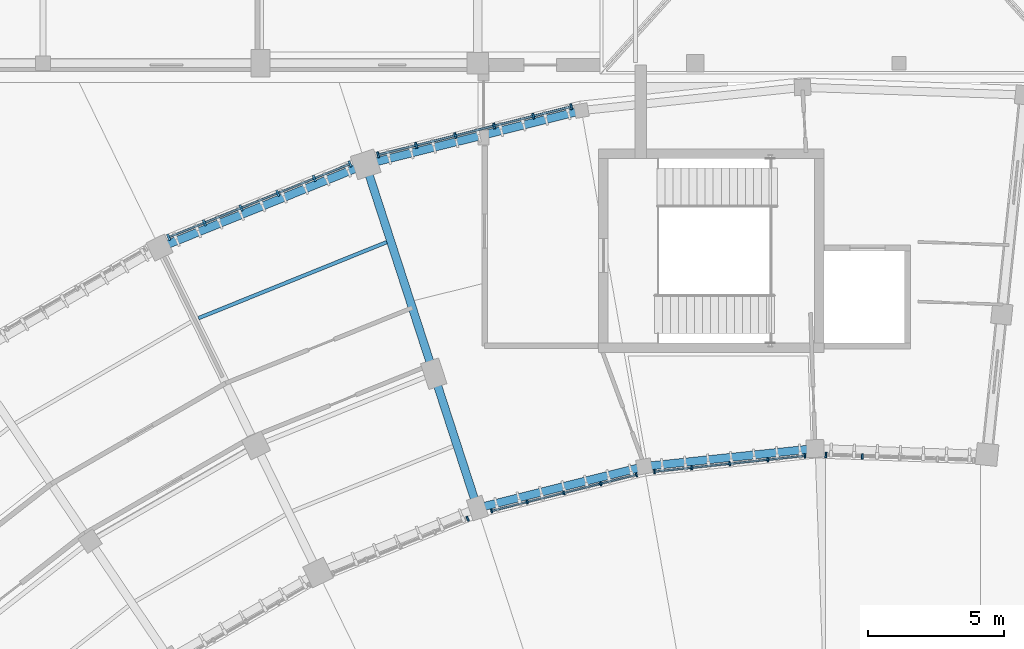
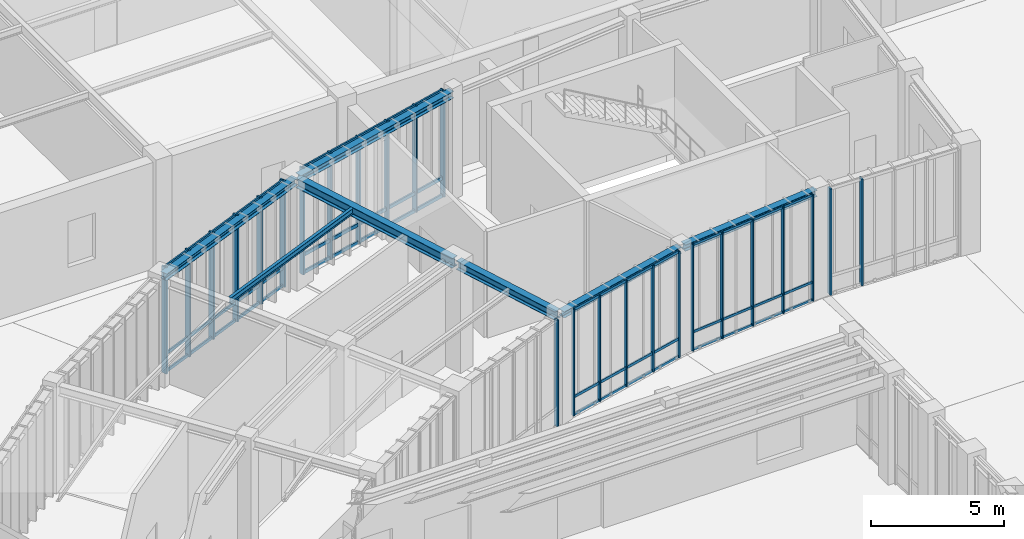
# One storey, part 17 of 68: 37 members, 7 beams, 6 elements without a shape of their own.
"""IFC4 building model written with IfcOpenShell, lengths in metres."""

from ifc_helpers import new_model, si_unit, direction, frame, origin, origin_2d, place, context, subcontext, project, spatial, rectangle, i_section, extrude, material, layer, layer_set, material_profile, profile_set, type_object, element, aggregate, save


model = new_model("IFC4")

# Units and contexts
model_context = context("Model", 3, precision=1e-05, world=origin(), true_north=direction((0.0, 1.0)))
body_context = subcontext(model_context, "Body", "Model", "MODEL_VIEW")
ifc_project = project(units=[si_unit("LENGTHUNIT", "METRE"), si_unit("AREAUNIT", "SQUARE_METRE"), si_unit("VOLUMEUNIT", "CUBIC_METRE"), si_unit("PLANEANGLEUNIT", "RADIAN"), si_unit("MASSUNIT", "GRAM", prefix="KILO"), si_unit("THERMODYNAMICTEMPERATUREUNIT", "KELVIN"), si_unit("POWERUNIT", "WATT")], contexts=[model_context])

# Site, building, storey
site_placement = place(None, origin())
site = spatial("IfcSite", under=ifc_project, at=site_placement, CompositionType="ELEMENT")
building_placement = place(site_placement, origin())
building = spatial("IfcBuilding", under=site, at=building_placement, Name="Solvatero Civic Police Headquarters", CompositionType="ELEMENT")
storey_placement = place(building_placement, origin())
storey = spatial("IfcBuildingStorey", under=building, at=storey_placement, Name="L00", CompositionType="ELEMENT", Elevation=0.0)

# Beams
ifc_material_1 = material(Name="Steel S355", Category="steel")
ifc_material_profile_1 = material_profile(ifc_material_1, i_section(OverallWidth=0.300048828125, OverallDepth=0.2900390625, WebThickness=0.008544921875, FlangeThickness=0.013916015625, FilletRadius=0.027099609375, at=origin_2d()), Name="HEA 300")
ifc_profile_set_1 = profile_set([ifc_material_profile_1], Name="Steel S355")
beam_type_1 = type_object("IfcBeamType", Name="BM-ST-HEA300", PredefinedType="SPANDREL", material=ifc_profile_set_1)
for number, where, z_axis, x_axis, name in (
    (1, (92.31787109375, 71.31201171875, 4.735107421875), (-0.994518545743, -0.104560327912, 0.0), (0.104560327912, -0.994518545743, 0.0), "Perimeter / radial spandrel beam BM-R2-L00-ARC-CIN-B02"),
    (2, (86.028076171875, 70.63671875, 4.735107421875), (-0.970299338414, -0.241907407643, 0.0), (0.241907407643, -0.970299338414, 0.0), "Perimeter / radial spandrel beam BM-R2-L00-ARC-CIN-B03"),
):
    element("IfcBeam", number, at=place(storey_placement, frame(where, z_axis=z_axis, x_axis=x_axis)), inside=storey, type_object=beam_type_1, Name=name, PredefinedType="SPANDREL", context=body_context, shape_type="SweptSolid", body=[
        extrude(i_section(OverallWidth=0.300048828125, OverallDepth=0.2900390625, WebThickness=0.008544921875, FlangeThickness=0.013916015625, FilletRadius=0.027099609375, at=origin_2d()), origin(), (0.0, 0.0, 1.0), 6.126953125),
    ])
ifc_material_profile_2 = material_profile(ifc_material_1, i_section(OverallWidth=0.300048828125, OverallDepth=0.31005859375, WebThickness=0.009033203125, FlangeThickness=0.015380859375, FilletRadius=0.027099609375, at=origin_2d()), Name="HEA 320")
ifc_profile_set_2 = profile_set([ifc_material_profile_2], Name="Steel S355")
beam_type_2 = type_object("IfcBeamType", Name="BM-ST-HEA320", PredefinedType="SPANDREL", material=ifc_profile_set_2)
beam_1_placement = place(storey_placement, frame((83.718505859375, 83.73486328125, 4.72509765625), z_axis=(-0.970295230115, -0.241923885586, 0.0), x_axis=(0.241923885586, -0.970295230115, 0.0)))
element("IfcBeam", 3, at=beam_1_placement, inside=storey, type_object=beam_type_2, Name="Perimeter / radial spandrel beam BM-R2-L00-ARC-COUT-B03", PredefinedType="SPANDREL", context=body_context, shape_type="SweptSolid", body=[
    extrude(i_section(OverallWidth=0.300048828125, OverallDepth=0.31005859375, WebThickness=0.009033203125, FlangeThickness=0.015380859375, FilletRadius=0.027099609375, at=origin_2d()), origin(), (0.0, 0.0, 1.0), 7.982421875),
])
beam_2_placement = place(storey_placement, frame((75.783447265625, 81.741943359375, 4.72509765625), z_axis=(-0.927188731, -0.374594523594, 0.0), x_axis=(0.374594523594, -0.927188731, 0.0)))
element("IfcBeam", 4, at=beam_2_placement, inside=storey, type_object=beam_type_2, Name="Perimeter / radial spandrel beam BM-R2-L00-ARC-COUT-B04", PredefinedType="SPANDREL", context=body_context, shape_type="SweptSolid", body=[
    extrude(i_section(OverallWidth=0.300048828125, OverallDepth=0.31005859375, WebThickness=0.009033203125, FlangeThickness=0.015380859375, FilletRadius=0.027099609375, at=origin_2d()), origin(), (0.0, 0.0, 1.0), 7.982666015625),
])
ifc_material_profile_3 = material_profile(ifc_material_1, i_section(OverallWidth=0.300048828125, OverallDepth=0.389892578125, WebThickness=0.010986328125, FlangeThickness=0.01904296875, FilletRadius=0.027099609375, at=origin_2d()), Name="HEA 400")
ifc_profile_set_3 = profile_set([ifc_material_profile_3], Name="Steel S355")
beam_type_3 = type_object("IfcBeamType", Name="BM-ST-HEA400", PredefinedType="BEAM", material=ifc_profile_set_3)
beam_3_placement = place(storey_placement, frame((79.955078125, 69.2255859375, 4.68505859375), z_axis=(-0.308996636599, 0.951063130697, 0.0), x_axis=(-0.951063130697, -0.308996636599, 0.0)))
element("IfcBeam", 5, at=beam_3_placement, inside=storey, type_object=beam_type_3, Name="Primary girder BM-R2-L00-ARC-RAD1-S03", PredefinedType="BEAM", context=body_context, shape_type="SweptSolid", body=[
    extrude(i_section(OverallWidth=0.300048828125, OverallDepth=0.389892578125, WebThickness=0.010986328125, FlangeThickness=0.01904296875, FilletRadius=0.027099609375, at=origin_2d()), origin(), (0.0, 0.0, 1.0), 4.999755859375),
])
ifc_material_profile_4 = material_profile(ifc_material_1, i_section(OverallWidth=0.300048828125, OverallDepth=0.43994140625, WebThickness=0.011474609375, FlangeThickness=0.02099609375, FilletRadius=0.027099609375, at=origin_2d()), Name="HEA 450")
ifc_profile_set_4 = profile_set([ifc_material_profile_4], Name="Steel S355")
beam_type_4 = type_object("IfcBeamType", Name="BM-ST-HEA450", PredefinedType="BEAM", material=ifc_profile_set_4)
beam_4_placement = place(storey_placement, frame((78.348388671875, 74.1708984375, 4.659912109375), z_axis=(-0.309033663672, 0.951051099951, 0.0), x_axis=(-0.951051099951, -0.309033663672, 0.0)))
element("IfcBeam", 6, at=beam_4_placement, inside=storey, type_object=beam_type_4, Name="Primary girder BM-R2-L00-ARC-RAD2-S03", PredefinedType="BEAM", context=body_context, shape_type="SweptSolid", body=[
    extrude(i_section(OverallWidth=0.300048828125, OverallDepth=0.43994140625, WebThickness=0.011474609375, FlangeThickness=0.02099609375, FilletRadius=0.027099609375, at=origin_2d()), origin(), (0.0, 0.0, 1.0), 7.900146484375),
])
ifc_material_profile_5 = material_profile(ifc_material_1, i_section(OverallWidth=0.135009765625, OverallDepth=0.27001953125, WebThickness=0.006591796875, FlangeThickness=0.01025390625, FilletRadius=0.014892578125, at=origin_2d()), Name="IPE 270")
ifc_profile_set_5 = profile_set([ifc_material_profile_5], Name="Steel S355")
beam_type_5 = type_object("IfcBeamType", Name="BM-ST-IPE270", PredefinedType="BEAM", material=ifc_profile_set_5)
beam_5_placement = place(storey_placement, frame((76.648681640625, 78.91748046875, 4.7451171875), z_axis=(-0.92718880438, -0.374594341966, 0.0), x_axis=(0.374594341966, -0.92718880438, 0.0)))
element("IfcBeam", 7, at=beam_5_placement, inside=storey, type_object=beam_type_5, Name="Composite floor beam BM-R2-L00-ARC-CS2-B04", PredefinedType="BEAM", context=body_context, shape_type="SweptSolid", body=[
    extrude(i_section(OverallWidth=0.135009765625, OverallDepth=0.27001953125, WebThickness=0.006591796875, FlangeThickness=0.01025390625, FilletRadius=0.014892578125, at=origin_2d()), origin(), (0.0, 0.0, 1.0), 7.470947265625),
])

# Curtain wall, members
ifc_material_2 = material(Name="Anodized Bronze Aluminium", Category="aluminium")
ifc_layer_1 = layer(ifc_material_2, 0.179931640625)
ifc_layer_set_1 = layer_set([ifc_layer_1], Name="Anodized Bronze Aluminium")
curtain_wall_type_1 = type_object("IfcCurtainWallType", Name="CW-ARC-OUT", PredefinedType="USERDEFINED", material=ifc_layer_set_1)
curtain_wall_1_placement = place(storey_placement, origin())
curtain_wall_1 = element("IfcCurtainWall", 8, at=curtain_wall_1_placement, inside=storey, type_object=curtain_wall_type_1, Name="Curtain Wall CW-R2-L00-ARC-OUT-B04", ObjectType="UNITISED", PredefinedType="USERDEFINED")
ifc_material_profile_6 = material_profile(ifc_material_2, rectangle(XDim=0.080078125, YDim=0.239990234375, at=origin_2d()), Name="ALU MULLION 80x240")
ifc_profile_set_6 = profile_set([ifc_material_profile_6], Name="Anodized Bronze Aluminium")
member_type_1 = type_object("IfcMemberType", Name="CWM-140x60", PredefinedType="MULLION", material=ifc_profile_set_6)
member_1_placement = place(storey_placement, frame((75.298828125, 81.793701171875, 0.0), z_axis=(0.0, 0.0, 1.0), x_axis=(-0.927183854567, -0.374606593416, 0.0)))
member_1 = element("IfcMember", 9, at=member_1_placement, type_object=member_type_1, Name="CW-R2-L00-ARC-OUT-B04 Mullion 1", PredefinedType="MULLION", context=body_context, shape_type="SweptSolid", body=[
    extrude(rectangle(XDim=0.080078125, YDim=0.239990234375, at=origin_2d()), origin(), (0.0, 0.0, 1.0), 4.8798828125),
])
member_2_placement = place(storey_placement, frame((73.986328125, 81.263427734375, 0.0), z_axis=(0.0, 0.0, 1.0), x_axis=(-0.927183854567, -0.374606593416, 0.0)))
member_2 = element("IfcMember", 10, at=member_2_placement, type_object=member_type_1, Name="CW-R2-L00-ARC-OUT-B04 Mullion 2", PredefinedType="MULLION", context=body_context, shape_type="SweptSolid", body=[
    extrude(rectangle(XDim=0.080078125, YDim=0.239990234375, at=origin_2d()), origin(), (0.0, 0.0, 1.0), 4.8798828125),
])
member_3_placement = place(storey_placement, frame((72.636962890625, 80.71826171875, 0.0), z_axis=(0.0, 0.0, 1.0), x_axis=(-0.927183854567, -0.374606593416, 0.0)))
member_3 = element("IfcMember", 11, at=member_3_placement, type_object=member_type_1, Name="CW-R2-L00-ARC-OUT-B04 Mullion 3", PredefinedType="MULLION", context=body_context, shape_type="SweptSolid", body=[
    extrude(rectangle(XDim=0.080078125, YDim=0.239990234375, at=origin_2d()), origin(), (0.0, 0.0, 1.0), 4.8798828125),
])
member_4_placement = place(storey_placement, frame((71.287353515625, 80.173095703125, 0.0), z_axis=(0.0, 0.0, 1.0), x_axis=(-0.927183854567, -0.374606593416, 0.0)))
member_4 = element("IfcMember", 12, at=member_4_placement, type_object=member_type_1, Name="CW-R2-L00-ARC-OUT-B04 Mullion 4", PredefinedType="MULLION", context=body_context, shape_type="SweptSolid", body=[
    extrude(rectangle(XDim=0.080078125, YDim=0.239990234375, at=origin_2d()), origin(), (0.0, 0.0, 1.0), 4.8798828125),
])
member_5_placement = place(storey_placement, frame((69.937744140625, 79.627685546875, 0.0), z_axis=(0.0, 0.0, 1.0), x_axis=(-0.927183854567, -0.374606593416, 0.0)))
member_5 = element("IfcMember", 13, at=member_5_placement, type_object=member_type_1, Name="CW-R2-L00-ARC-OUT-B04 Mullion 5", PredefinedType="MULLION", context=body_context, shape_type="SweptSolid", body=[
    extrude(rectangle(XDim=0.080078125, YDim=0.239990234375, at=origin_2d()), origin(), (0.0, 0.0, 1.0), 4.8798828125),
])
member_6_placement = place(storey_placement, frame((68.62548828125, 79.097412109375, 0.0), z_axis=(0.0, 0.0, 1.0), x_axis=(-0.927183854567, -0.374606593416, 0.0)))
member_6 = element("IfcMember", 14, at=member_6_placement, type_object=member_type_1, Name="CW-R2-L00-ARC-OUT-B04 Mullion 6", PredefinedType="MULLION", context=body_context, shape_type="SweptSolid", body=[
    extrude(rectangle(XDim=0.080078125, YDim=0.239990234375, at=origin_2d()), origin(), (0.0, 0.0, 1.0), 4.8798828125),
])

ifc_layer_2 = layer(ifc_material_2, 0.179931640625)
ifc_layer_set_2 = layer_set([ifc_layer_2], Name="Anodized Bronze Aluminium")
curtain_wall_type_2 = type_object("IfcCurtainWallType", Name="CW-ARC-IN", PredefinedType="USERDEFINED", material=ifc_layer_set_2)
curtain_wall_2_placement = place(storey_placement, origin())
curtain_wall_2 = element("IfcCurtainWall", 15, at=curtain_wall_2_placement, inside=storey, type_object=curtain_wall_type_2, Name="Curtain Wall CW-R2-L00-ARC-IN-B03", ObjectType="UNITISED", PredefinedType="USERDEFINED")
ifc_material_profile_7 = material_profile(ifc_material_2, rectangle(XDim=0.06005859375, YDim=0.139892578125, at=origin_2d()), Name="ALU MULLION 60x140")
ifc_profile_set_7 = profile_set([ifc_material_profile_7], Name="Anodized Bronze Aluminium")
member_type_2 = type_object("IfcMemberType", Name="CWM-160x65", PredefinedType="MULLION", material=ifc_profile_set_7)
member_7_placement = place(storey_placement, frame((85.836181640625, 70.3525390625, 0.0), z_axis=(0.0, 0.0, 1.0), x_axis=(-0.970295726276, -0.2419218956, 0.0)))
member_7 = element("IfcMember", 16, at=member_7_placement, type_object=member_type_2, Name="CW-R2-L00-ARC-IN-B03 Mullion 1", PredefinedType="MULLION", context=body_context, shape_type="SweptSolid", body=[
    extrude(rectangle(XDim=0.06005859375, YDim=0.139892578125, at=origin_2d()), origin(), (0.0, 0.0, 1.0), 4.8798828125),
])
member_8_placement = place(storey_placement, frame((84.5234375, 70.025146484375, 0.0), z_axis=(0.0, 0.0, 1.0), x_axis=(-0.970295726276, -0.2419218956, 0.0)))
member_8 = element("IfcMember", 17, at=member_8_placement, type_object=member_type_2, Name="CW-R2-L00-ARC-IN-B03 Mullion 2", PredefinedType="MULLION", context=body_context, shape_type="SweptSolid", body=[
    extrude(rectangle(XDim=0.06005859375, YDim=0.139892578125, at=origin_2d()), origin(), (0.0, 0.0, 1.0), 4.8798828125),
])
member_9_placement = place(storey_placement, frame((83.171630859375, 69.688232421875, 0.0), z_axis=(0.0, 0.0, 1.0), x_axis=(-0.970295726276, -0.2419218956, 0.0)))
member_9 = element("IfcMember", 18, at=member_9_placement, type_object=member_type_2, Name="CW-R2-L00-ARC-IN-B03 Mullion 3", PredefinedType="MULLION", context=body_context, shape_type="SweptSolid", body=[
    extrude(rectangle(XDim=0.06005859375, YDim=0.139892578125, at=origin_2d()), origin(), (0.0, 0.0, 1.0), 4.8798828125),
])
member_10_placement = place(storey_placement, frame((81.820068359375, 69.351318359375, 0.0), z_axis=(0.0, 0.0, 1.0), x_axis=(-0.970295726276, -0.2419218956, 0.0)))
member_10 = element("IfcMember", 19, at=member_10_placement, type_object=member_type_2, Name="CW-R2-L00-ARC-IN-B03 Mullion 4", PredefinedType="MULLION", context=body_context, shape_type="SweptSolid", body=[
    extrude(rectangle(XDim=0.06005859375, YDim=0.139892578125, at=origin_2d()), origin(), (0.0, 0.0, 1.0), 4.8798828125),
])
member_11_placement = place(storey_placement, frame((80.50732421875, 69.02392578125, 0.0), z_axis=(0.0, 0.0, 1.0), x_axis=(-0.970295726276, -0.2419218956, 0.0)))
member_11 = element("IfcMember", 20, at=member_11_placement, type_object=member_type_2, Name="CW-R2-L00-ARC-IN-B03 Mullion 5", PredefinedType="MULLION", context=body_context, shape_type="SweptSolid", body=[
    extrude(rectangle(XDim=0.06005859375, YDim=0.139892578125, at=origin_2d()), origin(), (0.0, 0.0, 1.0), 4.8798828125),
])

curtain_wall_3_placement = place(storey_placement, origin())
curtain_wall_3 = element("IfcCurtainWall", 21, at=curtain_wall_3_placement, inside=storey, type_object=curtain_wall_type_2, Name="Curtain Wall CW-R2-L00-ARC-IN-B02", ObjectType="UNITISED", PredefinedType="USERDEFINED")
ifc_material_profile_8 = material_profile(ifc_material_2, rectangle(XDim=0.06005859375, YDim=0.159912109375, at=origin_2d()), Name="ALU MULLION 60x160")
ifc_profile_set_8 = profile_set([ifc_material_profile_8], Name="Anodized Bronze Aluminium")
member_type_3 = type_object("IfcMemberType", Name="CWM-180x70", PredefinedType="MULLION", material=ifc_profile_set_8)
member_12_placement = place(storey_placement, frame((92.03857421875, 71.0517578125, 0.0), z_axis=(0.0, 0.0, 1.0), x_axis=(-0.994523719583, -0.10451110557, 0.0)))
member_12 = element("IfcMember", 22, at=member_12_placement, type_object=member_type_3, Name="CW-R2-L00-ARC-IN-B02 Mullion 1", PredefinedType="MULLION", context=body_context, shape_type="SweptSolid", body=[
    extrude(rectangle(XDim=0.06005859375, YDim=0.159912109375, at=origin_2d()), origin(), (0.0, 0.0, 1.0), 4.8798828125),
])
member_13_placement = place(storey_placement, frame((90.67431640625, 70.908447265625, 0.0), z_axis=(0.0, 0.0, 1.0), x_axis=(-0.994523719583, -0.10451110557, 0.0)))
member_13 = element("IfcMember", 23, at=member_13_placement, type_object=member_type_3, Name="CW-R2-L00-ARC-IN-B02 Mullion 2", PredefinedType="MULLION", context=body_context, shape_type="SweptSolid", body=[
    extrude(rectangle(XDim=0.06005859375, YDim=0.159912109375, at=origin_2d()), origin(), (0.0, 0.0, 1.0), 4.8798828125),
])
member_14_placement = place(storey_placement, frame((89.2705078125, 70.760986328125, 0.0), z_axis=(0.0, 0.0, 1.0), x_axis=(-0.994523719583, -0.10451110557, 0.0)))
member_14 = element("IfcMember", 24, at=member_14_placement, type_object=member_type_3, Name="CW-R2-L00-ARC-IN-B02 Mullion 3", PredefinedType="MULLION", context=body_context, shape_type="SweptSolid", body=[
    extrude(rectangle(XDim=0.06005859375, YDim=0.159912109375, at=origin_2d()), origin(), (0.0, 0.0, 1.0), 4.8798828125),
])
member_15_placement = place(storey_placement, frame((87.866455078125, 70.61328125, 0.0), z_axis=(0.0, 0.0, 1.0), x_axis=(-0.994523719583, -0.10451110557, 0.0)))
member_15 = element("IfcMember", 25, at=member_15_placement, type_object=member_type_3, Name="CW-R2-L00-ARC-IN-B02 Mullion 4", PredefinedType="MULLION", context=body_context, shape_type="SweptSolid", body=[
    extrude(rectangle(XDim=0.06005859375, YDim=0.159912109375, at=origin_2d()), origin(), (0.0, 0.0, 1.0), 4.8798828125),
])
member_16_placement = place(storey_placement, frame((86.502197265625, 70.469970703125, 0.0), z_axis=(0.0, 0.0, 1.0), x_axis=(-0.994523719583, -0.10451110557, 0.0)))
member_16 = element("IfcMember", 26, at=member_16_placement, type_object=member_type_3, Name="CW-R2-L00-ARC-IN-B02 Mullion 5", PredefinedType="MULLION", context=body_context, shape_type="SweptSolid", body=[
    extrude(rectangle(XDim=0.06005859375, YDim=0.159912109375, at=origin_2d()), origin(), (0.0, 0.0, 1.0), 4.8798828125),
])

# Curtain wall, member
curtain_wall_4_placement = place(storey_placement, origin())
curtain_wall_4 = element("IfcCurtainWall", 27, at=curtain_wall_4_placement, inside=storey, type_object=curtain_wall_type_2, Name="Curtain Wall CW-R2-L00-ARC-IN-B04", ObjectType="UNITISED", PredefinedType="USERDEFINED")
ifc_material_profile_9 = material_profile(ifc_material_2, rectangle(XDim=0.06494140625, YDim=0.179931640625, at=origin_2d()), Name="ALU MULLION 65x180")
ifc_profile_set_9 = profile_set([ifc_material_profile_9], Name="Anodized Bronze Aluminium")
member_type_4 = type_object("IfcMemberType", Name="CWM-200x75", PredefinedType="MULLION", material=ifc_profile_set_9)
member_17_placement = place(storey_placement, frame((79.626953125, 68.73779296875, 0.0), z_axis=(0.0, 0.0, 1.0), x_axis=(-0.927183854567, -0.374606593416, 0.0)))
member_17 = element("IfcMember", 28, at=member_17_placement, type_object=member_type_4, Name="CW-R2-L00-ARC-IN-B04 Mullion 1", PredefinedType="MULLION", context=body_context, shape_type="SweptSolid", body=[
    extrude(rectangle(XDim=0.06494140625, YDim=0.179931640625, at=origin_2d()), origin(), (0.0, 0.0, 1.0), 4.8798828125),
])
aggregate(curtain_wall_4, [member_17])

# Curtain wall, members
curtain_wall_5_placement = place(storey_placement, origin())
curtain_wall_5 = element("IfcCurtainWall", 29, at=curtain_wall_5_placement, inside=storey, type_object=curtain_wall_type_2, Name="Curtain Wall CW-R2-L00-ARC-IN-B01", ObjectType="UNITISED", PredefinedType="USERDEFINED")
ifc_material_profile_10 = material_profile(ifc_material_2, rectangle(XDim=0.070068359375, YDim=0.199951171875, at=origin_2d()), Name="ALU MULLION 70x200")
ifc_profile_set_10 = profile_set([ifc_material_profile_10], Name="Anodized Bronze Aluminium")
member_type_5 = type_object("IfcMemberType", Name="CWM-220x80", PredefinedType="MULLION", material=ifc_profile_set_10)
member_18_placement = place(storey_placement, frame((94.15380859375, 71.031982421875, 0.0), z_axis=(0.0, 0.0, 1.0), x_axis=(-0.999390827019, 0.034899496703, 0.0)))
member_18 = element("IfcMember", 30, at=member_18_placement, type_object=member_type_5, Name="CW-R2-L00-ARC-IN-B01 Mullion 4", PredefinedType="MULLION", context=body_context, shape_type="SweptSolid", body=[
    extrude(rectangle(XDim=0.070068359375, YDim=0.199951171875, at=origin_2d()), origin(), (0.0, 0.0, 1.0), 4.8798828125),
])
member_19_placement = place(storey_placement, frame((92.814208984375, 71.078857421875, 0.0), z_axis=(0.0, 0.0, 1.0), x_axis=(-0.999390827019, 0.034899496703, 0.0)))
member_19 = element("IfcMember", 31, at=member_19_placement, type_object=member_type_5, Name="CW-R2-L00-ARC-IN-B01 Mullion 5", PredefinedType="MULLION", context=body_context, shape_type="SweptSolid", body=[
    extrude(rectangle(XDim=0.070068359375, YDim=0.199951171875, at=origin_2d()), origin(), (0.0, 0.0, 1.0), 4.8798828125),
])
aggregate(curtain_wall_5, [member_18, member_19])

curtain_wall_6_placement = place(storey_placement, origin())
curtain_wall_6 = element("IfcCurtainWall", 32, at=curtain_wall_6_placement, inside=storey, type_object=curtain_wall_type_1, Name="Curtain Wall CW-R2-L00-ARC-OUT-B03", ObjectType="UNITISED", PredefinedType="USERDEFINED")
ifc_material_profile_11 = material_profile(ifc_material_2, rectangle(XDim=0.074951171875, YDim=0.219970703125, at=origin_2d()), Name="ALU MULLION 75x220")
ifc_profile_set_11 = profile_set([ifc_material_profile_11], Name="Anodized Bronze Aluminium")
member_type_6 = type_object("IfcMemberType", Name="CWM-250x85", PredefinedType="MULLION", material=ifc_profile_set_11)
member_20_placement = place(storey_placement, frame((83.439697265625, 83.901611328125, 0.0), z_axis=(0.0, 0.0, 1.0), x_axis=(-0.970295726276, -0.2419218956, 0.0)))
member_20 = element("IfcMember", 33, at=member_20_placement, type_object=member_type_6, Name="CW-R2-L00-ARC-OUT-B03 Mullion 1", PredefinedType="MULLION", context=body_context, shape_type="SweptSolid", body=[
    extrude(rectangle(XDim=0.074951171875, YDim=0.219970703125, at=origin_2d()), origin(), (0.0, 0.0, 1.0), 4.8798828125),
])
member_21_placement = place(storey_placement, frame((82.0419921875, 83.55322265625, 0.0), z_axis=(0.0, 0.0, 1.0), x_axis=(-0.970295726276, -0.2419218956, 0.0)))
member_21 = element("IfcMember", 34, at=member_21_placement, type_object=member_type_6, Name="CW-R2-L00-ARC-OUT-B03 Mullion 2", PredefinedType="MULLION", context=body_context, shape_type="SweptSolid", body=[
    extrude(rectangle(XDim=0.074951171875, YDim=0.219970703125, at=origin_2d()), origin(), (0.0, 0.0, 1.0), 4.8798828125),
])
member_22_placement = place(storey_placement, frame((80.605712890625, 83.195068359375, 0.0), z_axis=(0.0, 0.0, 1.0), x_axis=(-0.970295726276, -0.2419218956, 0.0)))
member_22 = element("IfcMember", 35, at=member_22_placement, type_object=member_type_6, Name="CW-R2-L00-ARC-OUT-B03 Mullion 3", PredefinedType="MULLION", context=body_context, shape_type="SweptSolid", body=[
    extrude(rectangle(XDim=0.074951171875, YDim=0.219970703125, at=origin_2d()), origin(), (0.0, 0.0, 1.0), 4.8798828125),
])
member_23_placement = place(storey_placement, frame((79.169189453125, 82.8369140625, 0.0), z_axis=(0.0, 0.0, 1.0), x_axis=(-0.970295726276, -0.2419218956, 0.0)))
member_23 = element("IfcMember", 36, at=member_23_placement, type_object=member_type_6, Name="CW-R2-L00-ARC-OUT-B03 Mullion 4", PredefinedType="MULLION", context=body_context, shape_type="SweptSolid", body=[
    extrude(rectangle(XDim=0.074951171875, YDim=0.219970703125, at=origin_2d()), origin(), (0.0, 0.0, 1.0), 4.8798828125),
])
member_24_placement = place(storey_placement, frame((77.732666015625, 82.478759765625, 0.0), z_axis=(0.0, 0.0, 1.0), x_axis=(-0.970295726276, -0.2419218956, 0.0)))
member_24 = element("IfcMember", 37, at=member_24_placement, type_object=member_type_6, Name="CW-R2-L00-ARC-OUT-B03 Mullion 5", PredefinedType="MULLION", context=body_context, shape_type="SweptSolid", body=[
    extrude(rectangle(XDim=0.074951171875, YDim=0.219970703125, at=origin_2d()), origin(), (0.0, 0.0, 1.0), 4.8798828125),
])
member_25_placement = place(storey_placement, frame((76.3349609375, 82.13037109375, 0.0), z_axis=(0.0, 0.0, 1.0), x_axis=(-0.970295726276, -0.2419218956, 0.0)))
member_25 = element("IfcMember", 38, at=member_25_placement, type_object=member_type_6, Name="CW-R2-L00-ARC-OUT-B03 Mullion 6", PredefinedType="MULLION", context=body_context, shape_type="SweptSolid", body=[
    extrude(rectangle(XDim=0.074951171875, YDim=0.219970703125, at=origin_2d()), origin(), (0.0, 0.0, 1.0), 4.8798828125),
])
ifc_material_profile_12 = material_profile(ifc_material_2, rectangle(XDim=0.070068359375, YDim=0.159912109375, at=origin_2d()), Name="ALU TRANSOM 70x160")
ifc_profile_set_12 = profile_set([ifc_material_profile_12], Name="Anodized Bronze Aluminium")
member_type_7 = type_object("IfcMemberType", Name="CWT-120x55", PredefinedType="USERDEFINED", material=ifc_profile_set_12)
member_26_placement = place(storey_placement, frame((83.43017578125, 83.8994140625, 0.0400390625), z_axis=(-0.970295705075, -0.241921980633, 0.0), x_axis=(0.241921980633, -0.970295705075, 0.0)))
member_26 = element("IfcMember", 39, at=member_26_placement, type_object=member_type_7, Name="CW-R2-L00-ARC-OUT-B03 Transom 1", ObjectType="TRANSOM", PredefinedType="USERDEFINED", context=body_context, shape_type="SweptSolid", body=[
    extrude(rectangle(XDim=0.070068359375, YDim=0.159912109375, at=origin_2d()), origin(), (0.0, 0.0, 1.0), 7.30224609375),
])
member_27_placement = place(storey_placement, frame((83.43017578125, 83.8994140625, 0.85009765625), z_axis=(-0.970295705075, -0.241921980633, 0.0), x_axis=(0.241921980633, -0.970295705075, 0.0)))
member_27 = element("IfcMember", 40, at=member_27_placement, type_object=member_type_7, Name="CW-R2-L00-ARC-OUT-B03 Transom 2", ObjectType="TRANSOM", PredefinedType="USERDEFINED", context=body_context, shape_type="SweptSolid", body=[
    extrude(rectangle(XDim=0.070068359375, YDim=0.159912109375, at=origin_2d()), origin(), (0.0, 0.0, 1.0), 7.30224609375),
])
member_28_placement = place(storey_placement, frame((83.43017578125, 83.8994140625, 4.840087890625), z_axis=(-0.970295705075, -0.241921980633, 0.0), x_axis=(0.241921980633, -0.970295705075, 0.0)))
member_28 = element("IfcMember", 41, at=member_28_placement, type_object=member_type_7, Name="CW-R2-L00-ARC-OUT-B03 Transom 3", ObjectType="TRANSOM", PredefinedType="USERDEFINED", context=body_context, shape_type="SweptSolid", body=[
    extrude(rectangle(XDim=0.070068359375, YDim=0.159912109375, at=origin_2d()), origin(), (0.0, 0.0, 1.0), 7.30224609375),
])
aggregate(curtain_wall_6, [member_20, member_21, member_22, member_23, member_24, member_25, member_26, member_27, member_28])

# Member
ifc_material_profile_13 = material_profile(ifc_material_2, rectangle(XDim=0.06005859375, YDim=0.110107421875, at=origin_2d()), Name="ALU TRANSOM 60x110")
ifc_profile_set_13 = profile_set([ifc_material_profile_13], Name="Anodized Bronze Aluminium")
member_type_8 = type_object("IfcMemberType", Name="CWT-140x60", PredefinedType="USERDEFINED", material=ifc_profile_set_13)
member_29_placement = place(storey_placement, frame((92.028564453125, 71.05078125, 0.0400390625), z_axis=(-0.99452111838, -0.10453585555, 0.0), x_axis=(0.10453585555, -0.99452111838, 0.0)))
member_29 = element("IfcMember", 42, at=member_29_placement, type_object=member_type_8, Name="CW-R2-L00-ARC-IN-B02 Transom 1", ObjectType="TRANSOM", PredefinedType="USERDEFINED", context=body_context, shape_type="SweptSolid", body=[
    extrude(rectangle(XDim=0.06005859375, YDim=0.110107421875, at=origin_2d()), origin(), (0.0, 0.0, 1.0), 5.546630859375),
])

member_30_placement = place(storey_placement, frame((92.028564453125, 71.05078125, 0.85009765625), z_axis=(-0.99452111838, -0.10453585555, 0.0), x_axis=(0.10453585555, -0.99452111838, 0.0)))
member_30 = element("IfcMember", 43, at=member_30_placement, type_object=member_type_8, Name="CW-R2-L00-ARC-IN-B02 Transom 2", ObjectType="TRANSOM", PredefinedType="USERDEFINED", context=body_context, shape_type="SweptSolid", body=[
    extrude(rectangle(XDim=0.06005859375, YDim=0.110107421875, at=origin_2d()), origin(), (0.0, 0.0, 1.0), 5.546630859375),
])

member_31_placement = place(storey_placement, frame((92.028564453125, 71.05078125, 4.840087890625), z_axis=(-0.99452111838, -0.10453585555, 0.0), x_axis=(0.10453585555, -0.99452111838, 0.0)))
member_31 = element("IfcMember", 44, at=member_31_placement, type_object=member_type_8, Name="CW-R2-L00-ARC-IN-B02 Transom 3", ObjectType="TRANSOM", PredefinedType="USERDEFINED", context=body_context, shape_type="SweptSolid", body=[
    extrude(rectangle(XDim=0.06005859375, YDim=0.110107421875, at=origin_2d()), origin(), (0.0, 0.0, 1.0), 5.546630859375),
])

aggregate(curtain_wall_3, [member_12, member_13, member_14, member_15, member_16, member_29, member_30, member_31])

ifc_material_profile_14 = material_profile(ifc_material_2, rectangle(XDim=0.06005859375, YDim=0.125, at=origin_2d()), Name="ALU TRANSOM 60x125")
ifc_profile_set_14 = profile_set([ifc_material_profile_14], Name="Anodized Bronze Aluminium")
member_type_9 = type_object("IfcMemberType", Name="CWT-160x65", PredefinedType="USERDEFINED", material=ifc_profile_set_14)
member_32_placement = place(storey_placement, frame((85.826416015625, 70.35009765625, 0.0400390625), z_axis=(-0.970297151447, -0.24191617948, 0.0), x_axis=(0.24191617948, -0.970297151447, 0.0)))
member_32 = element("IfcMember", 45, at=member_32_placement, type_object=member_type_9, Name="CW-R2-L00-ARC-IN-B03 Transom 1", ObjectType="TRANSOM", PredefinedType="USERDEFINED", context=body_context, shape_type="SweptSolid", body=[
    extrude(rectangle(XDim=0.06005859375, YDim=0.125, at=origin_2d()), origin(), (0.0, 0.0, 1.0), 5.471923828125),
])

member_33_placement = place(storey_placement, frame((85.826416015625, 70.35009765625, 0.85009765625), z_axis=(-0.970297151447, -0.24191617948, 0.0), x_axis=(0.24191617948, -0.970297151447, 0.0)))
member_33 = element("IfcMember", 46, at=member_33_placement, type_object=member_type_9, Name="CW-R2-L00-ARC-IN-B03 Transom 2", ObjectType="TRANSOM", PredefinedType="USERDEFINED", context=body_context, shape_type="SweptSolid", body=[
    extrude(rectangle(XDim=0.06005859375, YDim=0.125, at=origin_2d()), origin(), (0.0, 0.0, 1.0), 5.471923828125),
])

member_34_placement = place(storey_placement, frame((85.826416015625, 70.35009765625, 4.840087890625), z_axis=(-0.970297151447, -0.24191617948, 0.0), x_axis=(0.24191617948, -0.970297151447, 0.0)))
member_34 = element("IfcMember", 47, at=member_34_placement, type_object=member_type_9, Name="CW-R2-L00-ARC-IN-B03 Transom 3", ObjectType="TRANSOM", PredefinedType="USERDEFINED", context=body_context, shape_type="SweptSolid", body=[
    extrude(rectangle(XDim=0.06005859375, YDim=0.125, at=origin_2d()), origin(), (0.0, 0.0, 1.0), 5.471923828125),
])

aggregate(curtain_wall_2, [member_7, member_8, member_9, member_10, member_11, member_32, member_33, member_34])

ifc_material_profile_15 = material_profile(ifc_material_2, rectangle(XDim=0.06494140625, YDim=0.139892578125, at=origin_2d()), Name="ALU TRANSOM 65x140")
ifc_profile_set_15 = profile_set([ifc_material_profile_15], Name="Anodized Bronze Aluminium")
member_type_10 = type_object("IfcMemberType", Name="CWT-180x70", PredefinedType="USERDEFINED", material=ifc_profile_set_15)
member_35_placement = place(storey_placement, frame((75.28955078125, 81.7900390625, 0.0400390625), z_axis=(-0.927183226792, -0.37460814721, 0.0), x_axis=(0.37460814721, -0.927183226792, 0.0)))
member_35 = element("IfcMember", 48, at=member_35_placement, type_object=member_type_10, Name="CW-R2-L00-ARC-OUT-B04 Transom 1", ObjectType="TRANSOM", PredefinedType="USERDEFINED", context=body_context, shape_type="SweptSolid", body=[
    extrude(rectangle(XDim=0.06494140625, YDim=0.139892578125, at=origin_2d()), origin(), (0.0, 0.0, 1.0), 7.177490234375),
])

member_36_placement = place(storey_placement, frame((75.28955078125, 81.7900390625, 0.85009765625), z_axis=(-0.927183226792, -0.37460814721, 0.0), x_axis=(0.37460814721, -0.927183226792, 0.0)))
member_36 = element("IfcMember", 49, at=member_36_placement, type_object=member_type_10, Name="CW-R2-L00-ARC-OUT-B04 Transom 2", ObjectType="TRANSOM", PredefinedType="USERDEFINED", context=body_context, shape_type="SweptSolid", body=[
    extrude(rectangle(XDim=0.06494140625, YDim=0.139892578125, at=origin_2d()), origin(), (0.0, 0.0, 1.0), 7.177490234375),
])

member_37_placement = place(storey_placement, frame((75.28955078125, 81.7900390625, 4.840087890625), z_axis=(-0.927183226792, -0.37460814721, 0.0), x_axis=(0.37460814721, -0.927183226792, 0.0)))
member_37 = element("IfcMember", 50, at=member_37_placement, type_object=member_type_10, Name="CW-R2-L00-ARC-OUT-B04 Transom 3", ObjectType="TRANSOM", PredefinedType="USERDEFINED", context=body_context, shape_type="SweptSolid", body=[
    extrude(rectangle(XDim=0.06494140625, YDim=0.139892578125, at=origin_2d()), origin(), (0.0, 0.0, 1.0), 7.177490234375),
])

aggregate(curtain_wall_1, [member_1, member_2, member_3, member_4, member_5, member_6, member_35, member_36, member_37])

save(model, "model.ifc")
